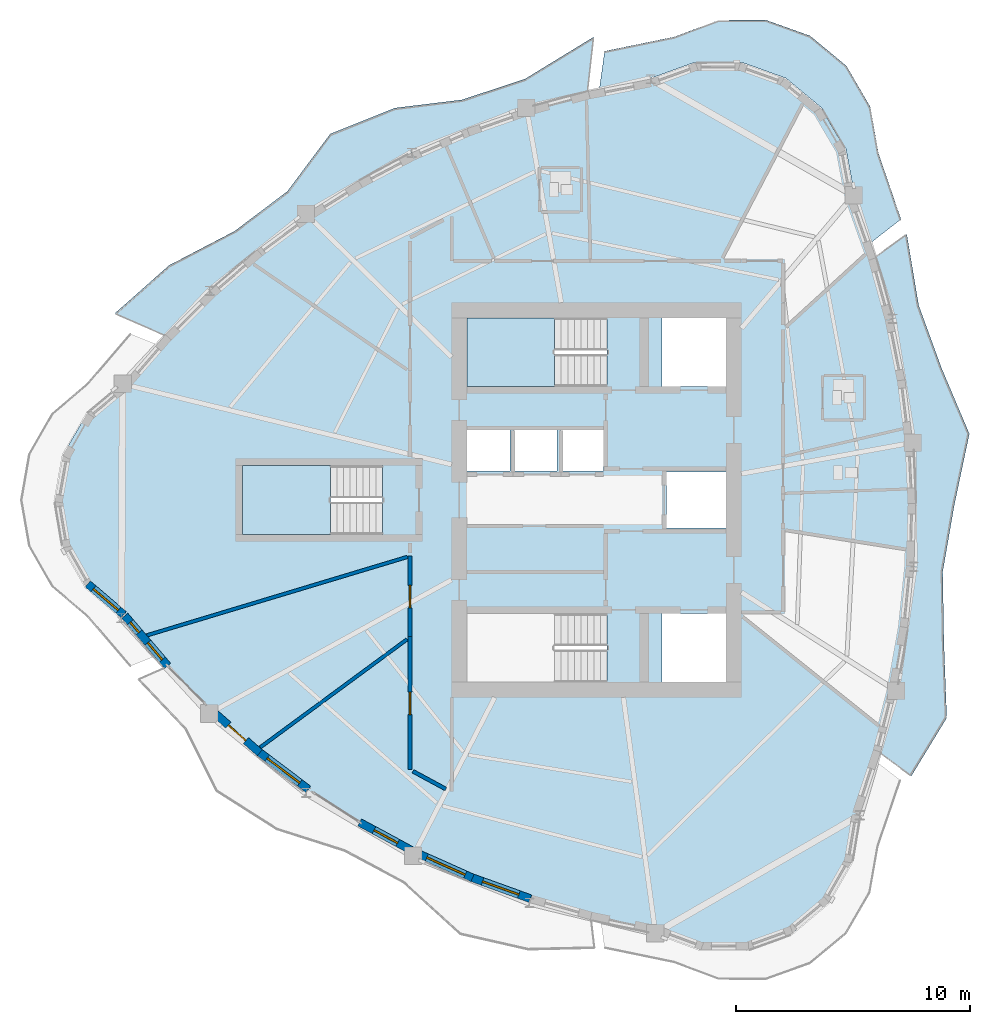
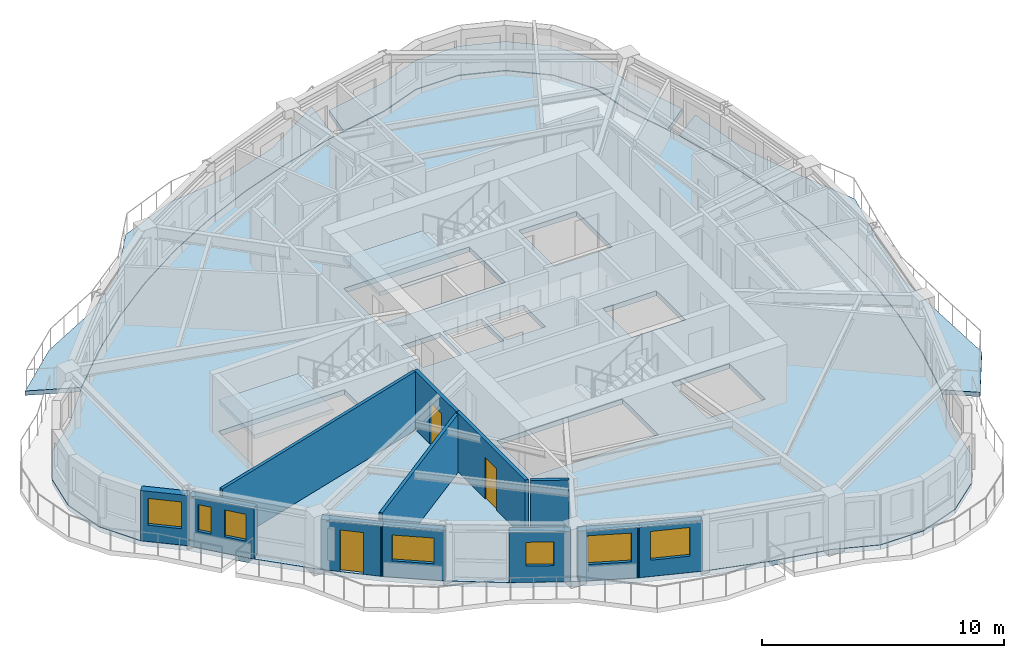
# One storey, part 4 of 13: 12 walls, 7 windows, 6 slabs, 3 doors, 10 openings, 2 elements without a shape of their own.
"""IFC4 building model written with IfcOpenShell, lengths in metres."""

from ifc_helpers import new_model, si_unit, direction, frame, frame_2d, origin, place, context, subcontext, project, spatial, polyline, rectangle, outline, extrude, source, transform, mapped, material, layer, layer_set, type_object, element, fill, aggregate, save


model = new_model("IFC4")

# Units and contexts
model_context = context("Model", 3, precision=1e-05, world=origin(), true_north=direction((0.0, 1.0)))
body_context = subcontext(model_context, "Body", "Model", "MODEL_VIEW")
ifc_project = project(units=[si_unit("LENGTHUNIT", "METRE"), si_unit("AREAUNIT", "SQUARE_METRE"), si_unit("VOLUMEUNIT", "CUBIC_METRE"), si_unit("PLANEANGLEUNIT", "RADIAN"), si_unit("MASSUNIT", "GRAM", prefix="KILO")], contexts=[model_context])

# Site, building, storey
site_placement = place(None, origin())
site = spatial("IfcSite", under=ifc_project, at=site_placement, CompositionType="ELEMENT")
building_placement = place(site_placement, origin())
building = spatial("IfcBuilding", under=site, at=building_placement, Name="Qafzar Sky-Pleat Residences", CompositionType="ELEMENT")
storey_placement = place(building_placement, frame((0.0, 0.0, 133.0)))
storey = spatial("IfcBuildingStorey", under=building, at=storey_placement, Name="L39", CompositionType="ELEMENT", Elevation=133.0)

# Slabs
ifc_material_1 = material(Name="Concrete C40/50", Category="concrete")
ifc_layer_1 = layer(ifc_material_1, 0.219970703125)
ifc_layer_set_1 = layer_set([ifc_layer_1], Name="Concrete C40/50")
slab_type_1 = type_object("IfcSlabType", Name="SLAB-BAL-220", PredefinedType="USERDEFINED", material=ifc_layer_set_1)
slab_1_placement = place(storey_placement, frame((0.0, 0.0, -0.219970703125)))
element("IfcSlab", 1, at=slab_1_placement, inside=storey, type_object=slab_type_1, Name="L39 Pleated Stone Balcony 1", ObjectType="BALCONY", PredefinedType="USERDEFINED", context=body_context, shape_type="SweptSolid", body=[
    extrude(outline(polyline([(43.1943359375, 17.826904296875), (43.673583984375, 20.4873046875), (43.951171875, 23.146240234375), (44.02685546875, 25.803466796875), (43.900146484375, 28.45849609375), (43.571533203125, 31.111572265625), (43.041015625, 33.762451171875), (42.30859375, 36.411376953125), (43.633056640625, 37.375), (44.14111328125, 34.330322265625), (45.1279296875, 31.622314453125), (46.3095703125, 28.8310546875), (45.664794921875, 25.783203125), (45.169921875, 22.92822265625), (45.218994140625, 19.944091796875), (45.34130859375, 16.671875), (43.825439453125, 14.1845703125), (42.512939453125, 15.164306640625), (43.1943359375, 17.826904296875)])), origin(), (0.0, 0.0, 1.0), 0.219970703125),
])
slab_2_placement = place(storey_placement, frame((0.0, 0.0, -0.219970703125)))
element("IfcSlab", 2, at=slab_2_placement, inside=storey, type_object=slab_type_1, Name="L39 Pleated Stone Balcony 2", ObjectType="BALCONY", PredefinedType="USERDEFINED", context=body_context, shape_type="SweptSolid", body=[
    extrude(outline(polyline([(27.351806640625, 42.793212890625), (24.841796875, 41.91748046875), (22.430908203125, 40.86962890625), (20.119384765625, 39.649658203125), (17.906982421875, 38.2578125), (15.794189453125, 36.69384765625), (13.781005859375, 34.9580078125), (11.866943359375, 33.05029296875), (9.731201171875, 33.983642578125), (12.056640625, 36.044189453125), (14.863037109375, 37.509521484375), (17.1201171875, 39.21337890625), (18.953857421875, 41.668212890625), (21.716064453125, 42.7783203125), (24.6005859375, 43.131591796875), (27.303955078125, 44.0302734375), (30.22021484375, 45.81298828125), (29.960693359375, 43.49658203125), (27.351806640625, 42.793212890625)])), origin(), (0.0, 0.0, 1.0), 0.219970703125),
])
ifc_layer_2 = layer(ifc_material_1, 0.25)
ifc_layer_set_2 = layer_set([ifc_layer_2], Name="Concrete C40/50")
slab_type_2 = type_object("IfcSlabType", Name="SLAB-FLR-250", PredefinedType="FLOOR", material=ifc_layer_set_2)
slab_3_placement = place(storey_placement, frame((0.0, 0.0, -0.25)))
element("IfcSlab", 3, at=slab_3_placement, inside=storey, type_object=slab_type_2, Name="L39 Structural Floor Slab", PredefinedType="FLOOR", context=body_context, shape_type="SweptSolid", body=[
    extrude(outline(polyline([(10.064208984375, 30.967529296875), (8.527099609375, 29.679931640625), (7.520263671875, 27.94580078125), (7.164306640625, 25.972412109375), (7.501220703125, 23.995849609375), (8.4912109375, 22.252197265625), (10.015869140625, 20.94970703125), (11.840087890625, 18.81884765625), (13.76708984375, 16.86181640625), (15.79638671875, 15.078369140625), (17.928466796875, 13.468505859375), (20.162841796875, 12.03271484375), (22.499755859375, 10.770263671875), (24.939208984375, 9.681640625), (27.4814453125, 8.766845703125), (30.1259765625, 8.025634765625), (32.873291015625, 7.458251953125), (34.777587890625, 6.747802734375), (36.810302734375, 6.73779296875), (38.721435546875, 7.429931640625), (40.2763671875, 8.739013671875), (41.2841796875, 10.50439453125), (41.62109375, 12.5087890625), (42.50341796875, 15.171630859375), (43.18359375, 17.83251953125), (43.662353515625, 20.491455078125), (43.939453125, 23.1484375), (44.014892578125, 25.803466796875), (43.88818359375, 28.45654296875), (43.560302734375, 31.10791015625), (43.030517578125, 33.757080078125), (42.298828125, 36.404296875), (41.365478515625, 39.049560546875), (41.0, 41.021240234375), (39.98486328125, 42.75048828125), (38.441650390625, 44.030517578125), (36.5546875, 44.708984375), (34.549560546875, 44.7041015625), (32.666015625, 44.0166015625), (29.95947265625, 43.48486328125), (27.352294921875, 42.781005859375), (24.843994140625, 41.905517578125), (22.43505859375, 40.8583984375), (20.125244140625, 39.639404296875), (17.914794921875, 38.24853515625), (15.80322265625, 36.685791015625), (13.791015625, 34.95166015625), (11.8779296875, 33.04541015625), (10.064208984375, 30.967529296875)]), holes=[polyline([(30.797119140625, 21.14990234375), (24.800048828125, 21.14990234375), (24.800048828125, 18.199951171875), (30.797119140625, 18.199951171875), (30.797119140625, 21.14990234375)]), polyline([(30.797119140625, 33.800048828125), (24.800048828125, 33.800048828125), (24.800048828125, 30.85009765625), (30.797119140625, 30.85009765625), (30.797119140625, 33.800048828125)]), polyline([(21.197021484375, 27.47509765625), (15.199951171875, 27.47509765625), (15.199951171875, 24.52490234375), (21.197021484375, 24.52490234375), (21.197021484375, 27.47509765625)]), polyline([(24.800048828125, 27.25), (26.64990234375, 27.25), (26.64990234375, 29.050048828125), (24.800048828125, 29.050048828125), (24.800048828125, 27.25)]), polyline([(26.800048828125, 27.25), (28.64990234375, 27.25), (28.64990234375, 29.050048828125), (26.800048828125, 29.050048828125), (26.800048828125, 27.25)]), polyline([(28.800048828125, 27.25), (30.64990234375, 27.25), (30.64990234375, 29.050048828125), (28.800048828125, 29.050048828125), (28.800048828125, 27.25)]), polyline([(33.14990234375, 18.199951171875), (35.89990234375, 18.199951171875), (35.89990234375, 21.14990234375), (33.14990234375, 21.14990234375), (33.14990234375, 18.199951171875)]), polyline([(33.14990234375, 30.85009765625), (35.89990234375, 30.85009765625), (35.89990234375, 33.800048828125), (33.14990234375, 33.800048828125), (33.14990234375, 30.85009765625)]), polyline([(33.35009765625, 24.800048828125), (35.89990234375, 24.800048828125), (35.89990234375, 27.199951171875), (33.35009765625, 27.199951171875), (33.35009765625, 24.800048828125)])]), origin(), (0.0, 0.0, 1.0), 0.25),
])

# Stair, slab
stair_type = type_object("IfcStairType", Name="STAIR-H320", PredefinedType="HALF_TURN_STAIR", material=ifc_material_1)
stair_1_placement = place(storey_placement, origin())
stair_1 = element("IfcStair", 4, at=stair_1_placement, inside=storey, type_object=stair_type, Name="L39 Protected Exit Stair ST2", PredefinedType="HALF_TURN_STAIR")
ifc_layer_3 = layer(ifc_material_1, 0.199951171875)
ifc_layer_set_3 = layer_set([ifc_layer_3], Name="Concrete C40/50")
slab_type_3 = type_object("IfcSlabType", Name="SLAB-LANDING-200", PredefinedType="LANDING", material=ifc_layer_set_3)
slab_4_placement = place(storey_placement, frame((0.0, 0.0, 1.39990234375)))
slab_4 = element("IfcSlab", 5, at=slab_4_placement, type_object=slab_type_3, Name="ST2 landing 1", PredefinedType="LANDING", context=body_context, shape_type="SweptSolid", body=[
    extrude(outline(polyline([(28.56005859375, 33.800048828125), (24.800048828125, 33.800048828125), (24.800048828125, 30.85009765625), (28.56005859375, 30.85009765625), (28.56005859375, 33.800048828125)])), origin(), (0.0, 0.0, 1.0), 0.2001953125),
])
aggregate(stair_1, [slab_4])

stair_2_placement = place(storey_placement, origin())
stair_2 = element("IfcStair", 6, at=stair_2_placement, inside=storey, type_object=stair_type, Name="L39 Protected Exit Stair ST3", PredefinedType="HALF_TURN_STAIR")
slab_5_placement = place(storey_placement, frame((0.0, 0.0, 1.39990234375)))
slab_5 = element("IfcSlab", 7, at=slab_5_placement, type_object=slab_type_3, Name="ST3 landing 1", PredefinedType="LANDING", context=body_context, shape_type="SweptSolid", body=[
    extrude(outline(polyline([(18.9599609375, 27.47509765625), (15.199951171875, 27.47509765625), (15.199951171875, 24.52490234375), (18.9599609375, 24.52490234375), (18.9599609375, 27.47509765625)])), origin(), (0.0, 0.0, 1.0), 0.2001953125),
])
aggregate(stair_2, [slab_5])

# Slab
ifc_layer_4 = layer(ifc_material_1, 0.235107421875)
ifc_layer_set_4 = layer_set([ifc_layer_4], Name="Concrete C40/50")
slab_type_4 = type_object("IfcSlabType", Name="SLAB-TER-235", PredefinedType="USERDEFINED", material=ifc_layer_set_4)
slab_6_placement = place(storey_placement, frame((0.0, 0.0, -0.235107421875)))
element("IfcSlab", 8, at=slab_6_placement, inside=storey, type_object=slab_type_4, Name="L39 Shared-Kitchen Corner Terrace 2", ObjectType="TERRACE", PredefinedType="USERDEFINED", context=body_context, shape_type="SweptSolid", body=[
    extrude(outline(polyline([(33.6767578125, 45.82373046875), (35.57177734375, 46.53173828125), (37.5947265625, 46.54541015625), (39.49951171875, 45.86376953125), (41.05419921875, 44.5693359375), (42.069580078125, 42.819580078125), (42.422607421875, 40.82763671875), (43.38330078125, 38.0185546875), (42.107421875, 37.02197265625), (41.389892578125, 39.05615234375), (41.024658203125, 41.02587890625), (41.024169921875, 41.02783203125), (41.0234375, 41.02978515625), (41.022705078125, 41.031982421875), (41.021484375, 41.033935546875), (40.006591796875, 42.76318359375), (40.00537109375, 42.764892578125), (40.00390625, 42.7666015625), (40.00244140625, 42.768310546875), (40.0009765625, 42.76953125), (38.457763671875, 44.0498046875), (38.455810546875, 44.05126953125), (38.4541015625, 44.05224609375), (38.4521484375, 44.05322265625), (38.4501953125, 44.05419921875), (36.563232421875, 44.732421875), (36.56103515625, 44.733154296875), (36.55908203125, 44.7333984375), (36.556884765625, 44.73388671875), (36.5546875, 44.73388671875), (34.549560546875, 44.72900390625), (34.54736328125, 44.72900390625), (34.545166015625, 44.728515625), (34.543212890625, 44.72802734375), (34.541015625, 44.7275390625), (32.6591796875, 44.041015625), (30.47509765625, 43.611572265625), (30.69970703125, 45.21044921875), (33.6767578125, 45.82373046875)])), origin(), (0.0, 0.0, 1.0), 0.235107421875),
])

# Wall, opening, door
ifc_material_2 = material(Name="Acoustic gypsum plasterboard partition", Category="gypsum")
ifc_layer_5 = layer(ifc_material_2, 0.159912109375)
ifc_layer_set_5 = layer_set([ifc_layer_5], Name="Acoustic gypsum plasterboard partition")
wall_type_1 = type_object("IfcWallType", Name="PART-COR-160", PredefinedType="PARTITIONING", material=ifc_layer_set_5)
wall_1_placement = place(storey_placement, frame((22.3701171875, 20.14794921875, 0.0), z_axis=(0.0, 0.0, 1.0), x_axis=(0.0, -1.0, 0.0)))
wall_1 = element("IfcWall", 9, at=wall_1_placement, inside=storey, type_object=wall_type_1, Name="L39 Partition Wall PART-L39-PW-001", PredefinedType="PARTITIONING", context=body_context, shape_type="SweptSolid", body=[
    extrude(rectangle(XDim=5.69287109375, YDim=0.159912109375, at=frame_2d((2.846435546875, 0.0))), origin(), (0.0, 0.0, 1.0), 2.949951171875),
])
opening_1_placement = place(wall_1_placement, frame((2.37548828125, 0.0, 0.0)))
opening_1 = element("IfcOpeningElement", 10, at=opening_1_placement, cuts=wall_1, Name="Opening ID-06", PredefinedType="OPENING", context=body_context, shape_type="SweptSolid", body=[
    extrude(rectangle(XDim=0.9599609375, YDim=2.10009765625, at=frame_2d((0.47998046875, 1.050048828125))), frame((0.0, 0.08984375, 0.0), z_axis=(0.0, -1.0, 0.0), x_axis=(1.0, 0.0, 0.0)), (0.0, 0.0, 1.0), 0.179931640625),
])
ifc_material_3 = material(Name="Timber-faced fire door", Category="wood")
door_type_1 = type_object("IfcDoorType", Name="DR-STD-960", OperationType="NOTDEFINED", PredefinedType="DOOR", material=ifc_material_3)
shared_shape_1 = source(origin(), body_context, "Body", "SweptSolid", [
    extrude(rectangle(XDim=0.9599609375, YDim=2.10009765625, at=frame_2d((0.47998046875, 1.050048828125))), frame((0.0, 0.02490234375, 0.0), z_axis=(0.0, -1.0, 0.0), x_axis=(1.0, 0.0, 0.0)), (0.0, 0.0, 1.0), 0.050048828125),
])
door_1_placement = place(opening_1_placement, origin())
door_1 = element("IfcDoor", 11, at=door_1_placement, inside=storey, type_object=door_type_1, Name="L39 Scholar Co-Working Workspace Door", OperationType="SINGLE_SWING_LEFT", OverallHeight=2.10009765625, OverallWidth=0.9599609375, PredefinedType="DOOR", context=body_context, shape_type="MappedRepresentation", body=[
    mapped(shared_shape_1, transform((0.0, 0.0, 0.0), x_axis=(1.0, 0.0, 0.0), y_axis=(0.0, 1.0, 0.0), z_axis=(0.0, 0.0, 1.0), scale=1.0)),
])
fill(opening_1, door_1)

wall_2_placement = place(storey_placement, frame((22.3701171875, 20.1630859375, 0.0), z_axis=(0.0, 0.0, 1.0), x_axis=(0.0, 1.0, 0.0)))
wall_2 = element("IfcWall", 12, at=wall_2_placement, inside=storey, type_object=wall_type_1, Name="L39 Partition Wall PART-L39-PW-007", PredefinedType="PARTITIONING", context=body_context, shape_type="SweptSolid", body=[
    extrude(rectangle(XDim=3.449951171875, YDim=0.159912109375, at=frame_2d((1.72509765625, 0.0))), origin(), (0.0, 0.0, 1.0), 2.949951171875),
])
opening_2_placement = place(wall_2_placement, frame((1.220947265625, 0.0, 0.0)))
opening_2 = element("IfcOpeningElement", 13, at=opening_2_placement, cuts=wall_2, Name="Opening ID-06", PredefinedType="OPENING", context=body_context, shape_type="SweptSolid", body=[
    extrude(rectangle(XDim=0.9599609375, YDim=2.10009765625, at=frame_2d((0.47998046875, 1.050048828125))), frame((0.0, 0.08984375, 0.0), z_axis=(0.0, -1.0, 0.0), x_axis=(1.0, 0.0, 0.0)), (0.0, 0.0, 1.0), 0.179931640625),
])
door_2_placement = place(opening_2_placement, origin())
door_2 = element("IfcDoor", 14, at=door_2_placement, inside=storey, type_object=door_type_1, Name="L39 Wellness Yoga Studio Door", OperationType="SINGLE_SWING_RIGHT", OverallHeight=2.10009765625, OverallWidth=0.9599609375, PredefinedType="DOOR", context=body_context, shape_type="MappedRepresentation", body=[
    mapped(shared_shape_1, transform((0.0, 0.0, 0.0), x_axis=(1.0, 0.0, 0.0), y_axis=(0.0, 1.0, 0.0), z_axis=(0.0, 0.0, 1.0), scale=1.0)),
])
fill(opening_2, door_2)

# Walls
wall_3_placement = place(storey_placement, frame((22.4951171875, 14.387451171875, 0.0), z_axis=(0.0, 0.0, 1.0), x_axis=(0.879618674253, -0.475679501245, 0.0)))
element("IfcWall", 15, at=wall_3_placement, inside=storey, type_object=wall_type_1, Name="L39 Partition Wall PART-L39-PW-037", PredefinedType="PARTITIONING", context=body_context, shape_type="SweptSolid", body=[
    extrude(rectangle(XDim=1.602783203125, YDim=0.159912109375, at=frame_2d((0.80126953125, 0.0))), origin(), (0.0, 0.0, 1.0), 2.949951171875),
])
ifc_layer_6 = layer(ifc_material_2, 0.14501953125)
ifc_layer_set_6 = layer_set([ifc_layer_6], Name="Acoustic gypsum plasterboard partition")
wall_type_2 = type_object("IfcWallType", Name="PART-UNIT-145", PredefinedType="PARTITIONING", material=ifc_layer_set_6)
wall_4_placement = place(storey_placement, frame((11.112548828125, 20.20849609375, 0.0), z_axis=(0.0, 0.0, 1.0), x_axis=(0.957541878855, 0.288294207778, 0.0)))
element("IfcWall", 16, at=wall_4_placement, inside=storey, type_object=wall_type_2, Name="L39 Partition Wall PART-L39-PW-014", PredefinedType="PARTITIONING", context=body_context, shape_type="SweptSolid", body=[
    extrude(rectangle(XDim=11.643310546875, YDim=0.14501953125, at=frame_2d((5.82177734375, 0.0))), origin(), (0.0, 0.0, 1.0), 2.949951171875),
])
wall_5_placement = place(storey_placement, frame((15.96240234375, 15.416015625, 0.0), z_axis=(0.0, 0.0, 1.0), x_axis=(0.805487856374, 0.59261227901, 0.0)))
element("IfcWall", 17, at=wall_5_placement, inside=storey, type_object=wall_type_2, Name="L39 Partition Wall PART-L39-PW-016", PredefinedType="PARTITIONING", context=body_context, shape_type="SweptSolid", body=[
    extrude(rectangle(XDim=7.794189453125, YDim=0.14501953125, at=frame_2d((3.89697265625, 0.0))), origin(), (0.0, 0.0, 1.0), 2.949951171875),
])

# Wall, opening, window
ifc_material_4 = material(Name="Precast concrete C40/50 with honed Riyadh limestone", Category="concrete")
ifc_layer_7 = layer(ifc_material_4, 0.340087890625)
ifc_layer_set_7 = layer_set([ifc_layer_7], Name="Precast concrete C40/50 with honed Riyadh limestone")
wall_type_3 = type_object("IfcWallType", Name="WALL-EXT-340", PredefinedType="SOLIDWALL", material=ifc_layer_set_7)
wall_6_placement = place(storey_placement, frame((8.57275390625, 22.406005859375, 0.0), z_axis=(0.0, 0.0, 1.0), x_axis=(0.760379886087, -0.649478582276, 0.0)))
wall_6 = element("IfcWall", 18, at=wall_6_placement, inside=storey, type_object=wall_type_3, Name="L39 Limestone Facade Wall 6", PredefinedType="SOLIDWALL", context=body_context, shape_type="SweptSolid", body=[
    extrude(rectangle(XDim=2.023193359375, YDim=0.340087890625, at=frame_2d((1.01171875, 0.0))), origin(), (0.0, 0.0, 1.0), 2.530029296875),
])
opening_3_placement = place(wall_6_placement, frame((0.321533203125, 0.0, 0.820068359375)))
opening_3 = element("IfcOpeningElement", 19, at=opening_3_placement, cuts=wall_6, Name="Opening WN-10", PredefinedType="OPENING", context=body_context, shape_type="SweptSolid", body=[
    extrude(rectangle(XDim=1.39990234375, YDim=1.35009765625, at=frame_2d((0.699951171875, 0.675048828125))), frame((0.0, 0.18017578125, 0.0), z_axis=(0.0, -1.0, 0.0), x_axis=(1.0, 0.0, 0.0)), (0.0, 0.0, 1.0), 0.360107421875),
])
ifc_material_5 = material(Name="Solar-control low-E glass in bronze aluminium frame", Category="glass")
window_type_1 = type_object("IfcWindowType", Name="WIN-10", PartitioningType="SINGLE_PANEL", PredefinedType="WINDOW", material=ifc_material_5)
shared_shape_2 = source(origin(), body_context, "Body", "SweptSolid", [
    extrude(rectangle(XDim=1.39990234375, YDim=1.35009765625, at=frame_2d((0.699951171875, 0.675048828125))), frame((0.0, 0.030029296875, 0.0), z_axis=(0.0, -1.0, 0.0), x_axis=(1.0, 0.0, 0.0)), (0.0, 0.0, 1.0), 0.06005859375),
])
window_1_placement = place(opening_3_placement, origin())
window_1 = element("IfcWindow", 20, at=window_1_placement, inside=storey, type_object=window_type_1, Name="L39 Punched Facade Window 06", OverallHeight=1.35009765625, OverallWidth=1.39990234375, PartitioningType="SINGLE_PANEL", PredefinedType="WINDOW", context=body_context, shape_type="MappedRepresentation", body=[
    mapped(shared_shape_2, transform((0.0, 0.0, 0.0), x_axis=(1.0, 0.0, 0.0), y_axis=(0.0, 1.0, 0.0), z_axis=(0.0, 0.0, 1.0), scale=1.0)),
])
fill(opening_3, window_1)

# Wall, openings, windows
wall_7_placement = place(storey_placement, frame((10.157958984375, 21.045166015625, 0.0), z_axis=(0.0, 0.0, 1.0), x_axis=(0.650385352329, -0.759604432238, 0.0)))
wall_7 = element("IfcWall", 21, at=wall_7_placement, inside=storey, type_object=wall_type_3, Name="L39 Limestone Facade Wall 7", PredefinedType="SOLIDWALL", context=body_context, shape_type="SweptSolid", body=[
    extrude(rectangle(XDim=2.8232421875, YDim=0.340087890625, at=frame_2d((1.41162109375, 0.0))), origin(), (0.0, 0.0, 1.0), 2.530029296875),
])
opening_4_placement = place(wall_7_placement, frame((0.363525390625, 0.0, 0.820068359375)))
opening_4 = element("IfcOpeningElement", 22, at=opening_4_placement, cuts=wall_7, Name="Opening WN-17", PredefinedType="OPENING", context=body_context, shape_type="SweptSolid", body=[
    extrude(rectangle(XDim=0.580078125, YDim=1.35009765625, at=frame_2d((0.2900390625, 0.675048828125))), frame((0.0, 0.18017578125, 0.0), z_axis=(0.0, -1.0, 0.0), x_axis=(1.0, 0.0, 0.0)), (0.0, 0.0, 1.0), 0.360107421875),
])
opening_5_placement = place(wall_7_placement, frame((1.520263671875, 0.0, 0.820068359375)))
opening_5 = element("IfcOpeningElement", 23, at=opening_5_placement, cuts=wall_7, Name="Opening WN-12", PredefinedType="OPENING", context=body_context, shape_type="SweptSolid", body=[
    extrude(rectangle(XDim=0.949951171875, YDim=1.35009765625, at=frame_2d((0.47509765625, 0.675048828125))), frame((0.0, 0.18017578125, 0.0), z_axis=(0.0, -1.0, 0.0), x_axis=(1.0, 0.0, 0.0)), (0.0, 0.0, 1.0), 0.360107421875),
])
window_type_2 = type_object("IfcWindowType", Name="WIN-12", PartitioningType="SINGLE_PANEL", PredefinedType="WINDOW", material=ifc_material_5)
shared_shape_3 = source(origin(), body_context, "Body", "SweptSolid", [
    extrude(rectangle(XDim=0.949951171875, YDim=1.35009765625, at=frame_2d((0.47509765625, 0.675048828125))), frame((0.0, 0.030029296875, 0.0), z_axis=(0.0, -1.0, 0.0), x_axis=(1.0, 0.0, 0.0)), (0.0, 0.0, 1.0), 0.06005859375),
])
window_2_placement = place(opening_5_placement, origin())
window_2 = element("IfcWindow", 24, at=window_2_placement, inside=storey, type_object=window_type_2, Name="L39 Punched Facade Window 07-2", OverallHeight=1.35009765625, OverallWidth=0.949951171875, PartitioningType="SINGLE_PANEL", PredefinedType="WINDOW", context=body_context, shape_type="MappedRepresentation", body=[
    mapped(shared_shape_3, transform((0.0, 0.0, 0.0), x_axis=(1.0, 0.0, 0.0), y_axis=(0.0, 1.0, 0.0), z_axis=(0.0, 0.0, 1.0), scale=1.0)),
])
fill(opening_5, window_2)
window_type_3 = type_object("IfcWindowType", Name="WIN-17", PartitioningType="SINGLE_PANEL", PredefinedType="WINDOW", material=ifc_material_5)
shared_shape_4 = source(origin(), body_context, "Body", "SweptSolid", [
    extrude(rectangle(XDim=0.580078125, YDim=1.35009765625, at=frame_2d((0.2900390625, 0.675048828125))), frame((0.0, 0.030029296875, 0.0), z_axis=(0.0, -1.0, 0.0), x_axis=(1.0, 0.0, 0.0)), (0.0, 0.0, 1.0), 0.06005859375),
])
window_3_placement = place(opening_4_placement, origin())
window_3 = element("IfcWindow", 25, at=window_3_placement, inside=storey, type_object=window_type_3, Name="L39 Punched Facade Window 07", OverallHeight=1.35009765625, OverallWidth=0.580078125, PartitioningType="SINGLE_PANEL", PredefinedType="WINDOW", context=body_context, shape_type="MappedRepresentation", body=[
    mapped(shared_shape_4, transform((0.0, 0.0, 0.0), x_axis=(1.0, 0.0, 0.0), y_axis=(0.0, 1.0, 0.0), z_axis=(0.0, 0.0, 1.0), scale=1.0)),
])
fill(opening_4, window_3)

# Wall, opening, door
wall_8_placement = place(storey_placement, frame((13.99560546875, 16.88720703125, 0.0), z_axis=(0.0, 0.0, 1.0), x_axis=(0.75116489845, -0.660114607729, 0.0)))
wall_8 = element("IfcWall", 26, at=wall_8_placement, inside=storey, type_object=wall_type_3, Name="L39 Limestone Facade Wall 9", PredefinedType="SOLIDWALL", context=body_context, shape_type="SweptSolid", body=[
    extrude(rectangle(XDim=2.5849609375, YDim=0.340087890625, at=frame_2d((1.29248046875, 0.0))), origin(), (0.0, 0.0, 1.0), 2.530029296875),
])
opening_6_placement = place(wall_8_placement, frame((0.79248046875, 0.0, 0.0)))
opening_6 = element("IfcOpeningElement", 27, at=opening_6_placement, cuts=wall_8, Name="Opening ED-05", PredefinedType="OPENING", context=body_context, shape_type="SweptSolid", body=[
    extrude(rectangle(XDim=1.0, YDim=2.10009765625, at=frame_2d((0.5, 1.050048828125))), frame((0.0, 0.18017578125, 0.0), z_axis=(0.0, -1.0, 0.0), x_axis=(1.0, 0.0, 0.0)), (0.0, 0.0, 1.0), 0.360107421875),
])
ifc_material_6 = material(Name="Glazed bronze aluminium door", Category="aluminium")
door_type_2 = type_object("IfcDoorType", Name="DR-BAL-1000", OperationType="NOTDEFINED", PredefinedType="DOOR", material=ifc_material_6)
shared_shape_5 = source(origin(), body_context, "Body", "SweptSolid", [
    extrude(rectangle(XDim=1.0, YDim=2.10009765625, at=frame_2d((0.5, 1.050048828125))), frame((0.0, 0.02490234375, 0.0), z_axis=(0.0, -1.0, 0.0), x_axis=(1.0, 0.0, 0.0)), (0.0, 0.0, 1.0), 0.050048828125),
])
door_3_placement = place(opening_6_placement, origin())
door_3 = element("IfcDoor", 28, at=door_3_placement, inside=storey, type_object=door_type_2, Name="L39 Glazed Balcony Door 3", OperationType="SINGLE_SWING_LEFT", OverallHeight=2.10009765625, OverallWidth=1.0, PredefinedType="DOOR", context=body_context, shape_type="MappedRepresentation", body=[
    mapped(shared_shape_5, transform((0.0, 0.0, 0.0), x_axis=(1.0, 0.0, 0.0), y_axis=(0.0, 1.0, 0.0), z_axis=(0.0, 0.0, 1.0), scale=1.0)),
])
fill(opening_6, door_3)

# Wall, opening, window
wall_9_placement = place(storey_placement, frame((15.868408203125, 15.23681640625, 0.0), z_axis=(0.0, 0.0, 1.0), x_axis=(0.798078784288, -0.602553113069, 0.0)))
wall_9 = element("IfcWall", 29, at=wall_9_placement, inside=storey, type_object=wall_type_3, Name="L39 Limestone Facade Wall 10", PredefinedType="SOLIDWALL", context=body_context, shape_type="SweptSolid", body=[
    extrude(rectangle(XDim=2.689453125, YDim=0.340087890625, at=frame_2d((1.3447265625, 0.0))), origin(), (0.0, 0.0, 1.0), 2.530029296875),
])
opening_7_placement = place(wall_9_placement, frame((0.479736328125, 0.0, 0.820068359375)))
opening_7 = element("IfcOpeningElement", 30, at=opening_7_placement, cuts=wall_9, Name="Opening WN-14", PredefinedType="OPENING", context=body_context, shape_type="SweptSolid", body=[
    extrude(rectangle(XDim=1.75, YDim=1.300048828125, at=frame_2d((0.875, 0.64990234375))), frame((0.0, 0.18017578125, 0.0), z_axis=(0.0, -1.0, 0.0), x_axis=(1.0, 0.0, 0.0)), (0.0, 0.0, 1.0), 0.360107421875),
])
window_type_4 = type_object("IfcWindowType", Name="WIN-14", PartitioningType="DOUBLE_PANEL_VERTICAL", PredefinedType="WINDOW", material=ifc_material_5)
shared_shape_6 = source(origin(), body_context, "Body", "SweptSolid", [
    extrude(rectangle(XDim=1.75, YDim=1.300048828125, at=frame_2d((0.875, 0.64990234375))), frame((0.0, 0.030029296875, 0.0), z_axis=(0.0, -1.0, 0.0), x_axis=(1.0, 0.0, 0.0)), (0.0, 0.0, 1.0), 0.06005859375),
])
window_4_placement = place(opening_7_placement, origin())
window_4 = element("IfcWindow", 31, at=window_4_placement, inside=storey, type_object=window_type_4, Name="L39 Punched Facade Window 10", OverallHeight=1.300048828125, OverallWidth=1.75, PartitioningType="SINGLE_PANEL", PredefinedType="WINDOW", context=body_context, shape_type="MappedRepresentation", body=[
    mapped(shared_shape_6, transform((0.0, 0.0, 0.0), x_axis=(1.0, 0.0, 0.0), y_axis=(0.0, 1.0, 0.0), z_axis=(0.0, 0.0, 1.0), scale=1.0)),
])
fill(opening_7, window_4)

wall_10_placement = place(storey_placement, frame((20.210205078125, 12.2001953125, 0.0), z_axis=(0.0, 0.0, 1.0), x_axis=(0.879824982307, -0.475297801918, 0.0)))
wall_10 = element("IfcWall", 32, at=wall_10_placement, inside=storey, type_object=wall_type_3, Name="L39 Limestone Facade Wall 12", PredefinedType="SOLIDWALL", context=body_context, shape_type="SweptSolid", body=[
    extrude(rectangle(XDim=2.5390625, YDim=0.340087890625, at=frame_2d((1.26953125, 0.0))), origin(), (0.0, 0.0, 1.0), 2.530029296875),
])
opening_8_placement = place(wall_10_placement, frame((0.69970703125, 0.0, 0.820068359375)))
opening_8 = element("IfcOpeningElement", 33, at=opening_8_placement, cuts=wall_10, Name="Opening WN-16", PredefinedType="OPENING", context=body_context, shape_type="SweptSolid", body=[
    extrude(rectangle(XDim=1.14990234375, YDim=1.199951171875, at=frame_2d((0.574951171875, 0.60009765625))), frame((0.0, 0.18017578125, 0.0), z_axis=(0.0, -1.0, 0.0), x_axis=(1.0, 0.0, 0.0)), (0.0, 0.0, 1.0), 0.360107421875),
])
window_type_5 = type_object("IfcWindowType", Name="WIN-16", PartitioningType="SINGLE_PANEL", PredefinedType="WINDOW", material=ifc_material_5)
shared_shape_7 = source(origin(), body_context, "Body", "SweptSolid", [
    extrude(rectangle(XDim=1.14990234375, YDim=1.199951171875, at=frame_2d((0.574951171875, 0.60009765625))), frame((0.0, 0.030029296875, 0.0), z_axis=(0.0, -1.0, 0.0), x_axis=(1.0, 0.0, 0.0)), (0.0, 0.0, 1.0), 0.06005859375),
])
window_5_placement = place(opening_8_placement, origin())
window_5 = element("IfcWindow", 34, at=window_5_placement, inside=storey, type_object=window_type_5, Name="L39 Punched Facade Window 12", OverallHeight=1.199951171875, OverallWidth=1.14990234375, PartitioningType="SINGLE_PANEL", PredefinedType="WINDOW", context=body_context, shape_type="MappedRepresentation", body=[
    mapped(shared_shape_7, transform((0.0, 0.0, 0.0), x_axis=(1.0, 0.0, 0.0), y_axis=(0.0, 1.0, 0.0), z_axis=(0.0, 0.0, 1.0), scale=1.0)),
])
fill(opening_8, window_5)

wall_11_placement = place(storey_placement, frame((22.710693359375, 10.8623046875, 0.0), z_axis=(0.0, 0.0, 1.0), x_axis=(0.913215380704, -0.40747719991, 0.0)))
wall_11 = element("IfcWall", 35, at=wall_11_placement, inside=storey, type_object=wall_type_3, Name="L39 Limestone Facade Wall 13", PredefinedType="SOLIDWALL", context=body_context, shape_type="SweptSolid", body=[
    extrude(rectangle(XDim=2.55419921875, YDim=0.340087890625, at=frame_2d((1.277099609375, 0.0))), origin(), (0.0, 0.0, 1.0), 2.530029296875),
])
opening_9_placement = place(wall_11_placement, frame((0.412109375, 0.0, 0.820068359375)))
opening_9 = element("IfcOpeningElement", 36, at=opening_9_placement, cuts=wall_11, Name="Opening WN-01", PredefinedType="OPENING", context=body_context, shape_type="SweptSolid", body=[
    extrude(rectangle(XDim=1.800048828125, YDim=1.449951171875, at=frame_2d((0.89990234375, 0.72509765625))), frame((0.0, 0.18017578125, 0.0), z_axis=(0.0, -1.0, 0.0), x_axis=(1.0, 0.0, 0.0)), (0.0, 0.0, 1.0), 0.360107421875),
])
window_type_6 = type_object("IfcWindowType", Name="WIN-01", PartitioningType="DOUBLE_PANEL_VERTICAL", PredefinedType="WINDOW", material=ifc_material_5)
shared_shape_8 = source(origin(), body_context, "Body", "SweptSolid", [
    extrude(rectangle(XDim=1.800048828125, YDim=1.449951171875, at=frame_2d((0.89990234375, 0.72509765625))), frame((0.0, 0.030029296875, 0.0), z_axis=(0.0, -1.0, 0.0), x_axis=(1.0, 0.0, 0.0)), (0.0, 0.0, 1.0), 0.06005859375),
])
window_6_placement = place(opening_9_placement, origin())
window_6 = element("IfcWindow", 37, at=window_6_placement, inside=storey, type_object=window_type_6, Name="L39 Punched Facade Window 13", OverallHeight=1.449951171875, OverallWidth=1.800048828125, PartitioningType="SINGLE_PANEL", PredefinedType="WINDOW", context=body_context, shape_type="MappedRepresentation", body=[
    mapped(shared_shape_8, transform((0.0, 0.0, 0.0), x_axis=(1.0, 0.0, 0.0), y_axis=(0.0, 1.0, 0.0), z_axis=(0.0, 0.0, 1.0), scale=1.0)),
])
fill(opening_9, window_6)

wall_12_placement = place(storey_placement, frame((24.961181640625, 9.8544921875, 0.0), z_axis=(0.0, 0.0, 1.0), x_axis=(0.940920595733, -0.338627276701, 0.0)))
wall_12 = element("IfcWall", 38, at=wall_12_placement, inside=storey, type_object=wall_type_3, Name="L39 Limestone Facade Wall 14", PredefinedType="SOLIDWALL", context=body_context, shape_type="SweptSolid", body=[
    extrude(rectangle(XDim=2.719482421875, YDim=0.340087890625, at=frame_2d((1.35986328125, 0.0))), origin(), (0.0, 0.0, 1.0), 2.530029296875),
])
opening_10_placement = place(wall_12_placement, frame((0.544921875, 0.0, 0.820068359375)))
opening_10 = element("IfcOpeningElement", 39, at=opening_10_placement, cuts=wall_12, Name="Opening WN-02", PredefinedType="OPENING", context=body_context, shape_type="SweptSolid", body=[
    extrude(rectangle(XDim=1.64990234375, YDim=1.449951171875, at=frame_2d((0.824951171875, 0.72509765625))), frame((0.0, 0.18017578125, 0.0), z_axis=(0.0, -1.0, 0.0), x_axis=(1.0, 0.0, 0.0)), (0.0, 0.0, 1.0), 0.360107421875),
])
window_type_7 = type_object("IfcWindowType", Name="WIN-02", PartitioningType="DOUBLE_PANEL_VERTICAL", PredefinedType="WINDOW", material=ifc_material_5)
shared_shape_9 = source(origin(), body_context, "Body", "SweptSolid", [
    extrude(rectangle(XDim=1.64990234375, YDim=1.449951171875, at=frame_2d((0.824951171875, 0.72509765625))), frame((0.0, 0.030029296875, 0.0), z_axis=(0.0, -1.0, 0.0), x_axis=(1.0, 0.0, 0.0)), (0.0, 0.0, 1.0), 0.06005859375),
])
window_7_placement = place(opening_10_placement, origin())
window_7 = element("IfcWindow", 40, at=window_7_placement, inside=storey, type_object=window_type_7, Name="L39 Punched Facade Window 14", OverallHeight=1.449951171875, OverallWidth=1.64990234375, PartitioningType="SINGLE_PANEL", PredefinedType="WINDOW", context=body_context, shape_type="MappedRepresentation", body=[
    mapped(shared_shape_9, transform((0.0, 0.0, 0.0), x_axis=(1.0, 0.0, 0.0), y_axis=(0.0, 1.0, 0.0), z_axis=(0.0, 0.0, 1.0), scale=1.0)),
])
fill(opening_10, window_7)

save(model, "model.ifc")
